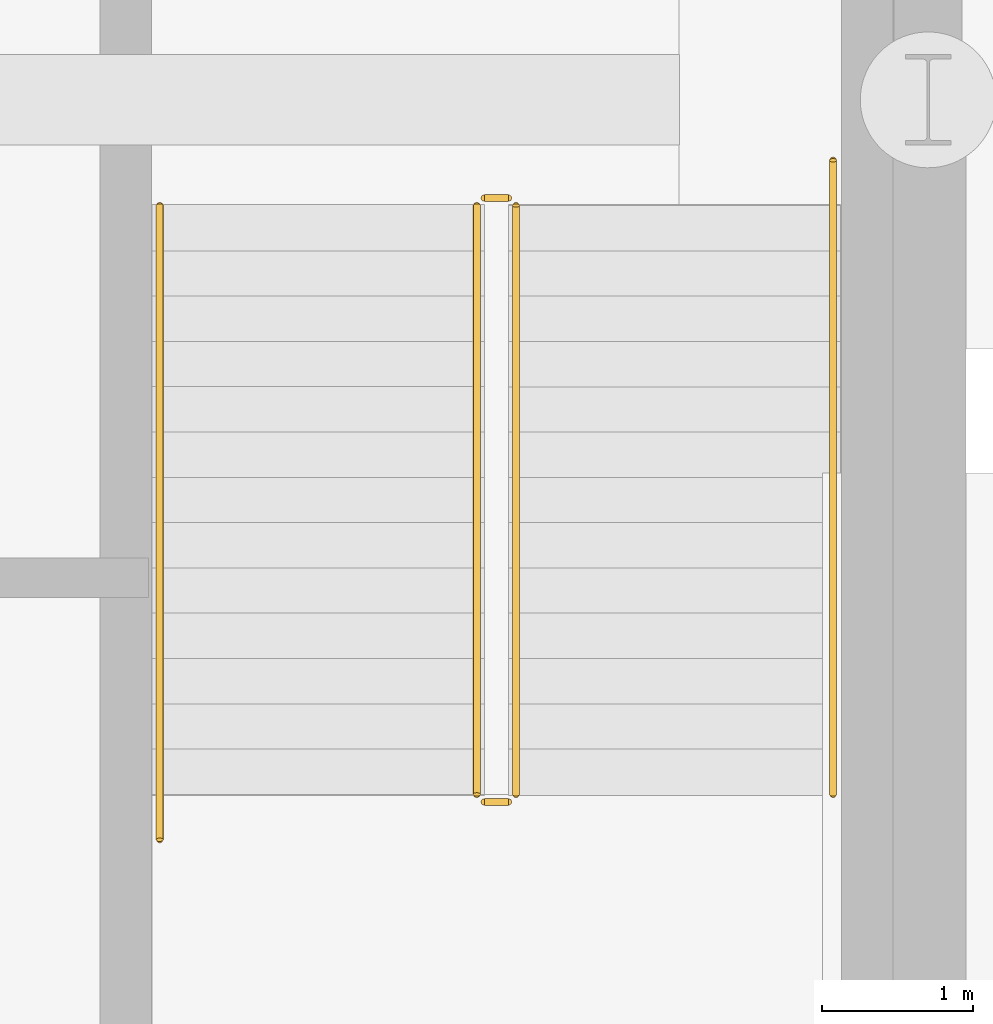
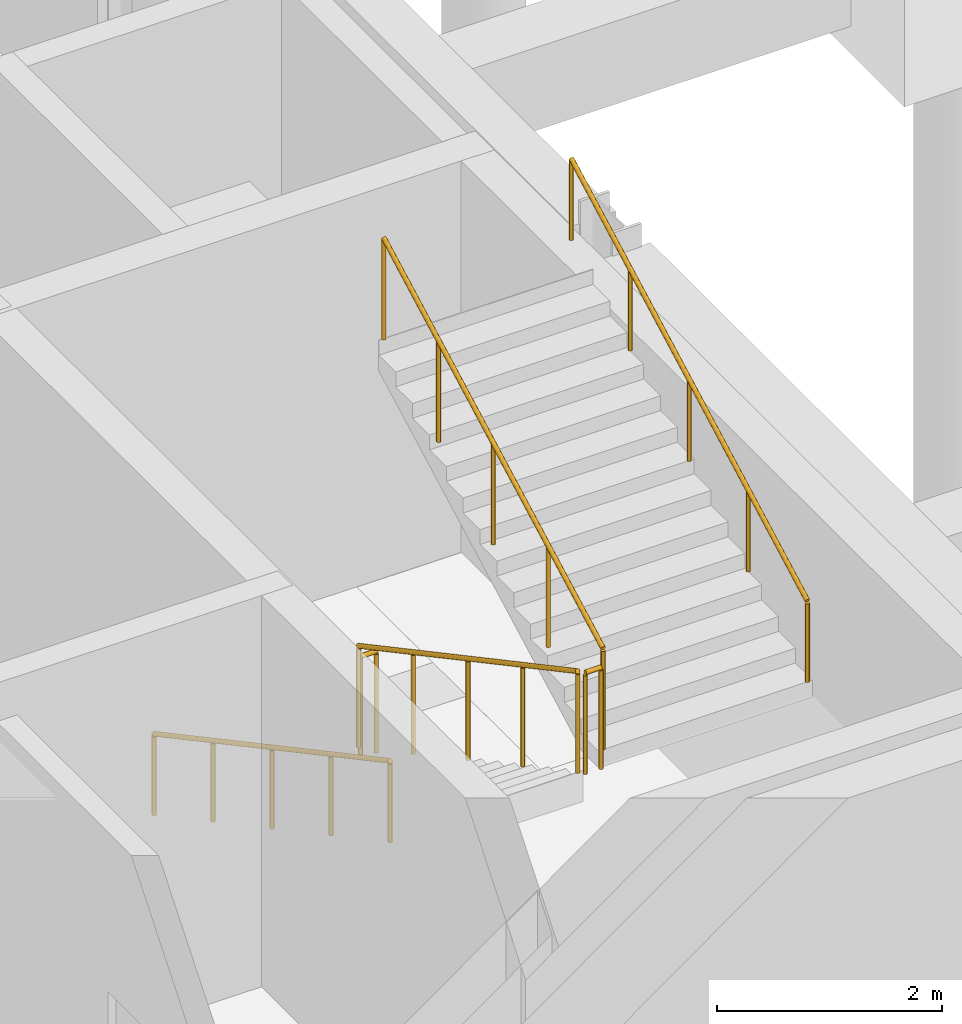
# One storey, part 40 of 43: 6 railings.
"""IFC4 building model written with IfcOpenShell, lengths in metres."""

from ifc_helpers import new_model, si_unit, direction, frame, origin, origin_2d, place, context, subcontext, project, spatial, circle, extrude, material, type_object, element, save


model = new_model("IFC4")

# Units and contexts
model_context = context("Model", 3, precision=1e-05, world=origin(), true_north=direction((0.0, 1.0)))
body_context = subcontext(model_context, "Body", "Model", "MODEL_VIEW")
ifc_project = project(units=[si_unit("LENGTHUNIT", "METRE"), si_unit("AREAUNIT", "SQUARE_METRE"), si_unit("VOLUMEUNIT", "CUBIC_METRE"), si_unit("PLANEANGLEUNIT", "RADIAN"), si_unit("MASSUNIT", "GRAM", prefix="KILO")], contexts=[model_context])

# Site, building, storey
site_placement = place(None, origin())
site = spatial("IfcSite", under=ifc_project, at=site_placement, CompositionType="ELEMENT")
building_placement = place(site_placement, origin())
building = spatial("IfcBuilding", under=site, at=building_placement, Name="Mersafa Astral City Hall", CompositionType="ELEMENT")
storey_placement = place(building_placement, frame((0.0, 0.0, -4.5)))
storey = spatial("IfcBuildingStorey", under=building, at=storey_placement, Name="B1", CompositionType="ELEMENT", Elevation=-4.5)

# Railings
ifc_material_1 = material(Name="Painted architectural steel stair guard balustrade", Category="steel")
railing_type_1 = type_object("IfcRailingType", Name="GUARD-RAIL", PredefinedType="BALUSTRADE", material=ifc_material_1)
railing_1_placement = place(storey_placement, frame((173.409912109375, 58.10009765625, 0.16064453125)))
element("IfcRailing", 1, at=railing_1_placement, inside=storey, type_object=railing_type_1, Name="B1 ST4 stair guard 1", PredefinedType="BALUSTRADE", context=body_context, shape_type="SweptSolid", body=[
    extrude(circle(Radius=0.02392578125, at=origin_2d()), frame((0.0, 0.0, 1.09619140625), z_axis=(0.0, -0.881480790326, 0.47221988129), x_axis=(1.0, 0.0, 0.0)), (0.0, 0.0, 1.0), 4.424560546875),
    extrude(circle(Radius=0.02099609375, at=origin_2d()), origin(), (0.0, 0.0, 1.0), 1.072021484375),
    extrude(circle(Radius=0.02099609375, at=origin_2d()), frame((0.0, -0.97509765625, 0.5224609375)), (0.0, 0.0, 1.0), 1.072021484375),
    extrude(circle(Radius=0.02099609375, at=origin_2d()), frame((0.0, -1.9501953125, 1.044677734375)), (0.0, 0.0, 1.0), 1.072021484375),
    extrude(circle(Radius=0.02099609375, at=origin_2d()), frame((0.0, -2.925048828125, 1.56689453125)), (0.0, 0.0, 1.0), 1.072021484375),
    extrude(circle(Radius=0.02099609375, at=origin_2d()), frame((0.0, -3.900146484375, 2.08935546875)), (0.0, 0.0, 1.0), 1.072021484375),
])
railing_2_placement = place(storey_placement, frame((173.4599609375, 54.14990234375, 2.25)))
element("IfcRailing", 2, at=railing_2_placement, inside=storey, type_object=railing_type_1, Name="B1 ST4 stair guard 2", PredefinedType="BALUSTRADE", context=body_context, shape_type="SweptSolid", body=[
    extrude(circle(Radius=0.02392578125, at=origin_2d()), frame((0.0, 0.0, 1.09619140625), z_axis=(1.0, 0.0, 0.0), x_axis=(0.0, 1.0, 0.0)), (0.0, 0.0, 1.0), 0.16015625),
    extrude(circle(Radius=0.02099609375, at=origin_2d()), origin(), (0.0, 0.0, 1.0), 1.072021484375),
    extrude(circle(Radius=0.02099609375, at=origin_2d()), frame((0.16015625, 0.0, 0.0)), (0.0, 0.0, 1.0), 1.072021484375),
])
railing_3_placement = place(storey_placement, frame((173.669921875, 54.199951171875, 2.41064453125)))
element("IfcRailing", 3, at=railing_3_placement, inside=storey, type_object=railing_type_1, Name="B1 ST4 stair guard 3", PredefinedType="BALUSTRADE", context=body_context, shape_type="SweptSolid", body=[
    extrude(circle(Radius=0.02392578125, at=origin_2d()), frame((0.0, 0.0, 1.09619140625), z_axis=(0.0, 0.881480790326, 0.47221988129), x_axis=(-1.0, 0.0, 0.0)), (0.0, 0.0, 1.0), 4.424560546875),
    extrude(circle(Radius=0.02099609375, at=origin_2d()), origin(), (0.0, 0.0, 1.0), 1.072021484375),
    extrude(circle(Radius=0.02099609375, at=origin_2d()), frame((0.0, 0.97509765625, 0.5224609375)), (0.0, 0.0, 1.0), 1.072021484375),
    extrude(circle(Radius=0.02099609375, at=origin_2d()), frame((0.0, 1.9501953125, 1.044677734375)), (0.0, 0.0, 1.0), 1.072021484375),
    extrude(circle(Radius=0.02099609375, at=origin_2d()), frame((0.0, 2.925048828125, 1.56689453125)), (0.0, 0.0, 1.0), 1.072021484375),
    extrude(circle(Radius=0.02099609375, at=origin_2d()), frame((0.0, 3.900146484375, 2.08935546875)), (0.0, 0.0, 1.0), 1.072021484375),
])
railing_4_placement = place(storey_placement, frame((173.4599609375, 58.14990234375, 0.0)))
element("IfcRailing", 4, at=railing_4_placement, inside=storey, type_object=railing_type_1, Name="B1 ST4 stair guard 4", PredefinedType="BALUSTRADE", context=body_context, shape_type="SweptSolid", body=[
    extrude(circle(Radius=0.02392578125, at=origin_2d()), frame((0.0, 0.0, 1.09619140625), z_axis=(1.0, 0.0, 0.0), x_axis=(0.0, 1.0, 0.0)), (0.0, 0.0, 1.0), 0.16015625),
    extrude(circle(Radius=0.02099609375, at=origin_2d()), origin(), (0.0, 0.0, 1.0), 1.072021484375),
    extrude(circle(Radius=0.02099609375, at=origin_2d()), frame((0.16015625, 0.0, 0.0)), (0.0, 0.0, 1.0), 1.072021484375),
])
ifc_material_2 = material(Name="Brushed stainless steel tubular handrail", Category="steel")
railing_type_2 = type_object("IfcRailingType", Name="HANDRAIL", PredefinedType="HANDRAIL", material=ifc_material_2)
railing_5_placement = place(storey_placement, frame((171.31005859375, 58.10009765625, 0.16064453125)))
element("IfcRailing", 5, at=railing_5_placement, inside=storey, type_object=railing_type_2, Name="B1 ST4 stair handrail 1", PredefinedType="HANDRAIL", context=body_context, shape_type="SweptSolid", body=[
    extrude(circle(Radius=0.02392578125, at=origin_2d()), frame((0.0, 0.0, 0.8759765625), z_axis=(0.0, -0.881211791727, 0.472721670882), x_axis=(1.0, 0.0, 0.0)), (0.0, 0.0, 1.0), 4.766357421875),
    extrude(circle(Radius=0.02099609375, at=origin_2d()), origin(), (0.0, 0.0, 1.0), 0.851806640625),
    extrude(circle(Radius=0.02099609375, at=origin_2d()), frame((0.0, -1.050048828125, 0.563232421875)), (0.0, 0.0, 1.0), 0.851806640625),
    extrude(circle(Radius=0.02099609375, at=origin_2d()), frame((0.0, -2.10009765625, 1.12646484375)), (0.0, 0.0, 1.0), 0.851806640625),
    extrude(circle(Radius=0.02099609375, at=origin_2d()), frame((0.0, -3.150146484375, 1.68994140625)), (0.0, 0.0, 1.0), 0.851806640625),
    extrude(circle(Radius=0.02099609375, at=origin_2d()), frame((0.0, -4.2001953125, 2.253173828125)), (0.0, 0.0, 1.0), 0.851806640625),
])
railing_6_placement = place(storey_placement, frame((175.77001953125, 54.199951171875, 2.41064453125)))
element("IfcRailing", 6, at=railing_6_placement, inside=storey, type_object=railing_type_2, Name="B1 ST4 stair handrail 2", PredefinedType="HANDRAIL", context=body_context, shape_type="SweptSolid", body=[
    extrude(circle(Radius=0.02392578125, at=origin_2d()), frame((0.0, 0.0, 0.8759765625), z_axis=(0.0, 0.881200344737, 0.472743008869), x_axis=(-1.0, 0.0, 0.0)), (0.0, 0.0, 1.0), 4.76611328125),
    extrude(circle(Radius=0.02099609375, at=origin_2d()), origin(), (0.0, 0.0, 1.0), 0.851806640625),
    extrude(circle(Radius=0.02099609375, at=origin_2d()), frame((0.0, 1.050048828125, 0.563232421875)), (0.0, 0.0, 1.0), 0.851806640625),
    extrude(circle(Radius=0.02099609375, at=origin_2d()), frame((0.0, 2.10009765625, 1.12646484375)), (0.0, 0.0, 1.0), 0.851806640625),
    extrude(circle(Radius=0.02099609375, at=origin_2d()), frame((0.0, 3.14990234375, 1.68994140625)), (0.0, 0.0, 1.0), 0.851806640625),
    extrude(circle(Radius=0.02099609375, at=origin_2d()), frame((0.0, 4.199951171875, 2.253173828125)), (0.0, 0.0, 1.0), 0.851806640625),
])

save(model, "model.ifc")
